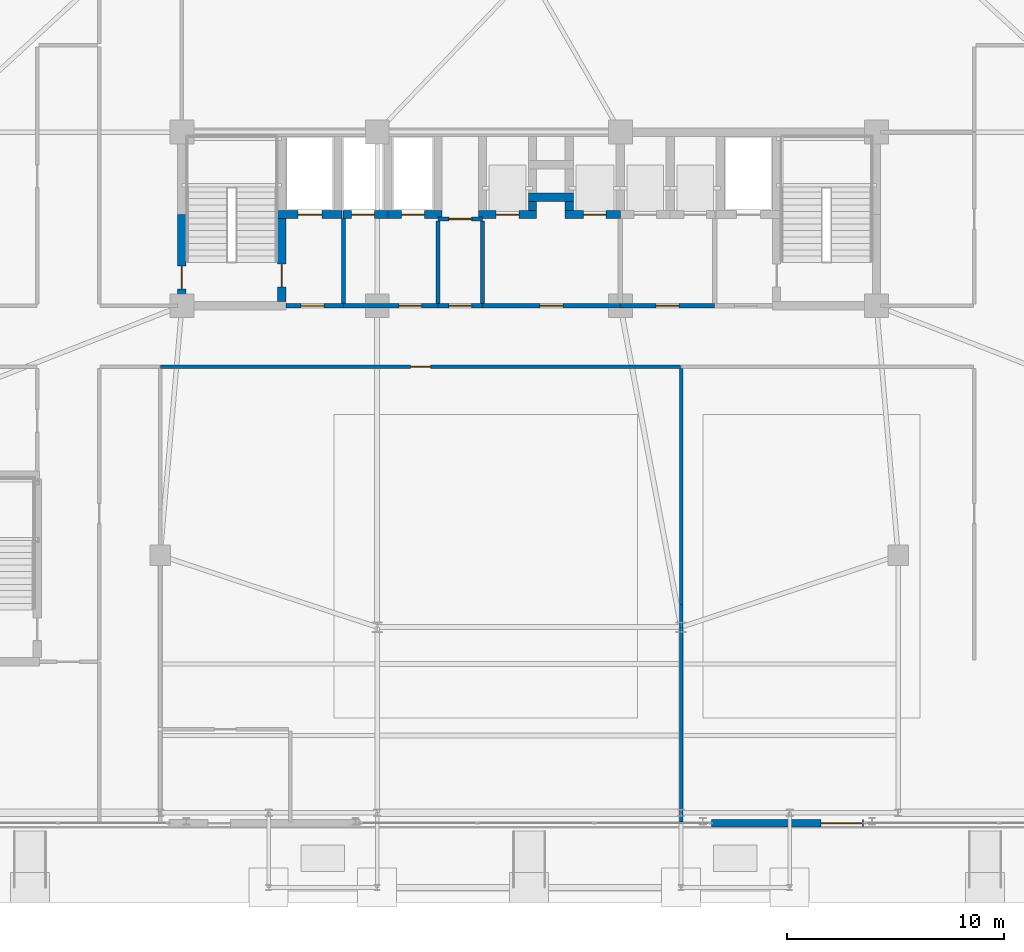
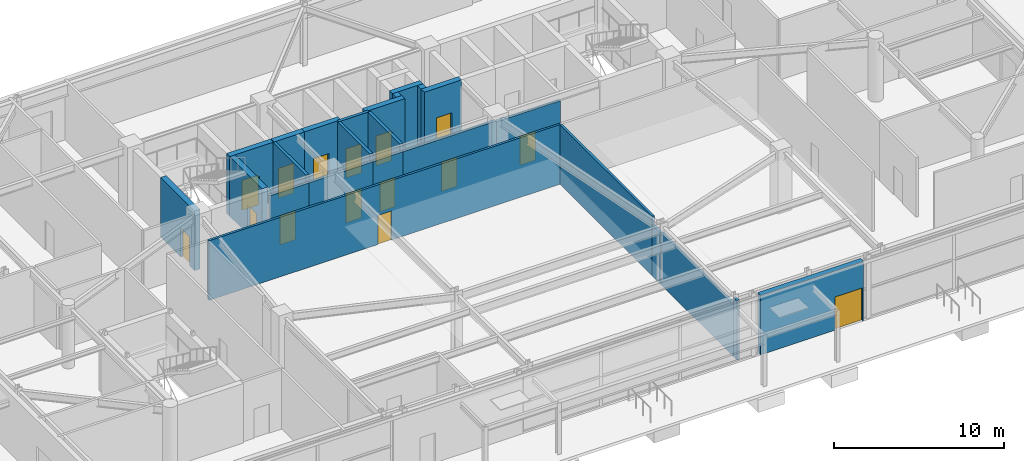
# One storey, part 20 of 29: 25 walls, 15 doors, 15 openings.
"""IFC4 building model written with IfcOpenShell, lengths in metres."""

import ifcopenshell
import ifcopenshell.guid

model = None  # the IFC model being written
_history = None  # IfcOwnerHistory: only IFC2X3 demands one
_inside = {}  # id of a spatial element -> (the spatial element, [elements in it])
_under = {}  # id of a project, library or spatial element -> (it, [spatial elements below it])
_declared = {}  # id of a project -> (the project, [libraries it declares])
_typed = {}  # id of a type object -> (the type object, [elements of that type])
_made_of = {}  # id of a material, layer set ... -> (it, [elements and type objects made of it])


def new_model(schema):
    """Start an empty IFC model of exactly this schema.

    Asked for "IFC4X3", IfcOpenShell would pick the latest addendum, in which some entities
    have other attributes; the version numbers below select the first issue.
    IFC2X3 requires an IfcOwnerHistory on every rooted entity: one is made here for all.
    """
    global model, _history
    if schema == "IFC4X3":
        model = ifcopenshell.file(schema_version=(4, 3, 0, 0))
    else:
        model = ifcopenshell.file(schema=schema)
    _inside.clear()
    _under.clear()
    _declared.clear()
    _typed.clear()
    _made_of.clear()
    _history = None
    if model.schema == "IFC2X3":
        org = make("IfcOrganization", Name="unknown")
        user = make(
            "IfcPersonAndOrganization",
            ThePerson=make("IfcPerson", FamilyName="unknown"),
            TheOrganization=org,
        )
        app = make(
            "IfcApplication",
            ApplicationDeveloper=org,
            Version="unknown",
            ApplicationFullName="unknown",
            ApplicationIdentifier="unknown",
        )
        _history = make(
            "IfcOwnerHistory",
            OwningUser=user,
            OwningApplication=app,
            ChangeAction="ADDED",
            CreationDate=0,
        )
    return model


def make(cls, **values):
    """One entity of the class cls with the attributes given. An attribute that is None is left unset."""
    return model.create_entity(
        cls, **{name: value for name, value in values.items() if value is not None}
    )


def rooted(cls, **values):
    """An entity with a GlobalId (a new one), such as an element, a storey or a relation."""
    return make(cls, GlobalId=ifcopenshell.guid.new(), OwnerHistory=_history, **values)


def si_unit(unit_type, name, prefix=None):
    """IfcSIUnit, for example si_unit("LENGTHUNIT", "METRE", prefix="MILLI")."""
    return make("IfcSIUnit", UnitType=unit_type, Prefix=prefix, Name=name)


def assignment(units):
    """IfcUnitAssignment: the units of a project."""
    return None if units is None else make("IfcUnitAssignment", Units=units)


def point(xyz):
    """IfcCartesianPoint."""
    return None if xyz is None else make("IfcCartesianPoint", Coordinates=xyz)


def direction(xyz):
    """IfcDirection."""
    return None if xyz is None else make("IfcDirection", DirectionRatios=xyz)


def frame(location, z_axis=None, x_axis=None):
    """IfcAxis2Placement3D, a coordinate frame: its origin and axes. An axis left out is left unset."""
    return make(
        "IfcAxis2Placement3D",
        Location=point(location),
        Axis=direction(z_axis),
        RefDirection=direction(x_axis),
    )


def frame_2d(location, x_axis=None):
    """IfcAxis2Placement2D, a coordinate frame in the plane: its origin and x axis."""
    return make(
        "IfcAxis2Placement2D", Location=point(location), RefDirection=direction(x_axis)
    )


def origin():
    """The frame at (0, 0, 0) with its axes left unset."""
    return frame((0.0, 0.0, 0.0))


def place(relative_to, where):
    """IfcLocalPlacement: puts the frame where relative to a parent placement (None: the world)."""
    return make(
        "IfcLocalPlacement", PlacementRelTo=relative_to, RelativePlacement=where
    )


def context(
    kind, dimensions, precision=None, world=None, true_north=None, identifier=None
):
    """IfcGeometricRepresentationContext, for example the 3D "Model" context."""
    return make(
        "IfcGeometricRepresentationContext",
        ContextIdentifier=identifier,
        ContextType=kind,
        CoordinateSpaceDimension=dimensions,
        Precision=precision,
        WorldCoordinateSystem=world,
        TrueNorth=true_north,
    )


def subcontext(parent, identifier, kind, view, scale=None):
    """IfcGeometricRepresentationSubContext, for example "Body" below "Model"."""
    return make(
        "IfcGeometricRepresentationSubContext",
        ContextIdentifier=identifier,
        ContextType=kind,
        ParentContext=parent,
        TargetScale=scale,
        TargetView=view,
    )


def project(units=None, contexts=None):
    """IfcProject with its units and contexts."""
    return rooted(
        "IfcProject",
        Name="project",
        RepresentationContexts=contexts,
        UnitsInContext=assignment(units),
    )


def spatial(cls, under=None, at=None, **own):
    """A site, building, storey or space (cls), placed at a placement, below another one or the project."""
    s = rooted(cls, ObjectPlacement=at, **own)
    if under is not None:
        _under.setdefault(under.id(), (under, []))[1].append(s)
    return s


def profile(cls, at=None, kind="AREA", **sizes):
    """A parametric profile (cls). Its sizes go by their IFC names, for example OverallWidth=200.0."""
    return make(cls, ProfileType=kind, Position=at, **sizes)


def rectangle(**sizes):
    """IfcRectangleProfileDef."""
    return profile("IfcRectangleProfileDef", **sizes)


def extrude(swept, where, along, depth):
    """IfcExtrudedAreaSolid: the profile swept, set in the frame where, extruded along a direction by depth."""
    return make(
        "IfcExtrudedAreaSolid",
        SweptArea=swept,
        Position=where,
        ExtrudedDirection=direction(along),
        Depth=depth,
    )


def shape(context_of_items, identifier, shape_type, items):
    """IfcShapeRepresentation: the items that make up one representation, for example the "Body"."""
    return make(
        "IfcShapeRepresentation",
        ContextOfItems=context_of_items,
        RepresentationIdentifier=identifier,
        RepresentationType=shape_type,
        Items=items,
    )


def source(mapping_origin, context_of_items, identifier, shape_type, items):
    """IfcRepresentationMap: a shape defined once, which mapped items show again and again."""
    return make(
        "IfcRepresentationMap",
        MappingOrigin=mapping_origin,
        MappedRepresentation=shape(context_of_items, identifier, shape_type, items),
    )


def transform(
    local_origin,
    x_axis=None,
    y_axis=None,
    z_axis=None,
    scale=None,
    scale2=None,
    scale3=None,
    uniform=True,
):
    """IfcCartesianTransformationOperator3D, or its non-uniform kind. x_axis, y_axis, z_axis: its Axis1, 2, 3."""
    if uniform:
        return make(
            "IfcCartesianTransformationOperator3D",
            Axis1=direction(x_axis),
            Axis2=direction(y_axis),
            LocalOrigin=point(local_origin),
            Scale=scale,
            Axis3=direction(z_axis),
        )
    return make(
        "IfcCartesianTransformationOperator3DnonUniform",
        Axis1=direction(x_axis),
        Axis2=direction(y_axis),
        LocalOrigin=point(local_origin),
        Scale=scale,
        Axis3=direction(z_axis),
        Scale2=scale2,
        Scale3=scale3,
    )


def mapped(mapping_source, mapping_target):
    """IfcMappedItem: shows the shape of a source again, moved by a transform."""
    return make(
        "IfcMappedItem", MappingSource=mapping_source, MappingTarget=mapping_target
    )


def material(Name=None, Category=None):
    """IfcMaterial."""
    return make("IfcMaterial", Name=Name, Category=Category)


def layer(
    of_material, thickness, ventilated=None, Name=None, Category=None, Priority=None
):
    """IfcMaterialLayer: one layer of a wall or slab, of a material (None: an air gap)."""
    return make(
        "IfcMaterialLayer",
        Material=of_material,
        LayerThickness=thickness,
        IsVentilated=ventilated,
        Name=Name,
        Category=Category,
        Priority=Priority,
    )


def layer_set(layers, Name=None):
    """IfcMaterialLayerSet."""
    return make("IfcMaterialLayerSet", MaterialLayers=layers, LayerSetName=Name)


def made_of(thing, what):
    """Note that an element or type object is made of a material, layer set ...; save() writes the relation."""
    if what is not None:
        _made_of.setdefault(what.id(), (what, []))[1].append(thing)
    return thing


def type_object(cls, material=None, **own):
    """A type object (cls), such as IfcWallType, which elements share."""
    return made_of(rooted(cls, **own), material)


def element(
    cls,
    number,
    at=None,
    inside=None,
    cuts=None,
    type_object=None,
    material=None,
    context=None,
    identifier="Body",
    shape_type=None,
    held_by="IfcProductDefinitionShape",
    body=None,
    shapes=None,
    **own,
):
    """One element of the class cls, such as IfcWall. Its Tag is "e" and its number.

    at: its placement. inside: the storey or other place that contains it. cuts: it is an
    opening in that element (IfcRelVoidsElement). A single representation is given by context,
    identifier, shape_type and body (its items); several are given by shapes. held_by: the class
    of the entity that holds the representations. save() writes the other relations.
    """
    e = rooted(cls, Tag="e%d" % number, ObjectPlacement=at, **own)
    if body is not None:
        shapes = [shape(context, identifier, shape_type, body)]
    if shapes is not None:
        e.Representation = make(held_by, Representations=shapes)
    if inside is not None:
        _inside.setdefault(inside.id(), (inside, []))[1].append(e)
    if cuts is not None:
        rooted(
            "IfcRelVoidsElement", RelatingBuildingElement=cuts, RelatedOpeningElement=e
        )
    if type_object is not None:
        _typed.setdefault(type_object.id(), (type_object, []))[1].append(e)
    return made_of(e, material)


def fill(opening, filler):
    """IfcRelFillsElement: the door or window that sits in an opening."""
    return rooted(
        "IfcRelFillsElement",
        RelatingOpeningElement=opening,
        RelatedBuildingElement=filler,
    )


def aggregate(whole, parts):
    """IfcRelAggregates: a whole, such as a stair, and the parts it consists of."""
    return rooted("IfcRelAggregates", RelatingObject=whole, RelatedObjects=parts)


def save(model, path):
    """Write the relations noted so far, then the file.

    IfcRelAggregates (storeys below a building ...), IfcRelContainedInSpatialStructure (elements
    in a storey), IfcRelDefinesByType, IfcRelAssociatesMaterial and IfcRelDeclares: one each for
    every whole, place, type object, material and project.
    """
    for whole, parts in _under.values():
        aggregate(whole, parts)
    for where, things in _inside.values():
        rooted(
            "IfcRelContainedInSpatialStructure",
            RelatedElements=things,
            RelatingStructure=where,
        )
    for kind, things in _typed.values():
        rooted("IfcRelDefinesByType", RelatedObjects=things, RelatingType=kind)
    for what, things in _made_of.values():
        rooted("IfcRelAssociatesMaterial", RelatedObjects=things, RelatingMaterial=what)
    for by, libraries in _declared.values():
        rooted("IfcRelDeclares", RelatingContext=by, RelatedDefinitions=libraries)
    model.write(path)


model = new_model("IFC4")

# Units and contexts
model_context = context("Model", 3, precision=1e-05, world=origin(), true_north=direction((0.0, 1.0)))
body_context = subcontext(model_context, "Body", "Model", "MODEL_VIEW")
ifc_project = project(units=[si_unit("LENGTHUNIT", "METRE"), si_unit("AREAUNIT", "SQUARE_METRE"), si_unit("VOLUMEUNIT", "CUBIC_METRE"), si_unit("PLANEANGLEUNIT", "RADIAN"), si_unit("MASSUNIT", "GRAM", prefix="KILO")], contexts=[model_context])

# Site, building, storey
site_placement = place(None, origin())
site = spatial("IfcSite", under=ifc_project, at=site_placement, CompositionType="ELEMENT")
building_placement = place(site_placement, origin())
building = spatial("IfcBuilding", under=site, at=building_placement, Name="Taldren Reach Tower", CompositionType="ELEMENT")
storey_placement = place(building_placement, origin())
storey = spatial("IfcBuildingStorey", under=building, at=storey_placement, Name="L00", CompositionType="ELEMENT", Elevation=0.0)

# Wall, opening, door
ifc_material_1 = material(Name="Pale Champagne Anodised Aluminium Cladding", Category="aluminium")
ifc_layer_1 = layer(ifc_material_1, 0.04, Name="Pale Champagne Anodised Aluminium Cladding", Category="aluminium")
ifc_material_2 = material(Name="Mineral Wool Thermal Insulation", Category="insulation")
ifc_layer_2 = layer(ifc_material_2, 0.08, Name="Mineral Wool Thermal Insulation", Category="insulation")
ifc_material_3 = material(Name="Concrete S50 (50 MPa)", Category="concrete")
ifc_layer_3 = layer(ifc_material_3, 0.22, Name="Concrete S50 (50 MPa)", Category="concrete")
ifc_layer_set_1 = layer_set([ifc_layer_1, ifc_layer_2, ifc_layer_3], Name="Pale Champagne Aluminium Cladding and Precast Concrete 50 MPa (S50)")
wall_type_1 = type_object("IfcWallType", Name="EW-POD-340", PredefinedType="SOLIDWALL", material=ifc_layer_set_1)
shared_shape_1 = source(origin(), body_context, "Body", "SweptSolid", [
    extrude(rectangle(XDim=7.0, YDim=0.340087890625, at=frame_2d((3.5, 0.0))), origin(), (0.0, 0.0, 1.0), 4.2900390625),
])
wall_1_placement = place(storey_placement, frame((43.39990234375, 0.169921875, 0.0), z_axis=(0.0, 0.0, 1.0), x_axis=(1.0, 0.0, 0.0)))
wall_1 = element("IfcWall", 1, at=wall_1_placement, inside=storey, type_object=wall_type_1, Name="Podium riverfront wall L00-S3", PredefinedType="SOLIDWALL", context=body_context, shape_type="MappedRepresentation", body=[
    mapped(shared_shape_1, transform((0.0, 0.0, 0.0), scale=1.0)),
])
shared_shape_2 = source(origin(), body_context, "Body", "SweptSolid", [
    extrude(rectangle(XDim=1.89990234375, YDim=2.39990234375, at=frame_2d((0.949951171875, 1.199951171875))), frame((0.0, 0.18017578125, 0.0), z_axis=(0.0, -1.0, 0.0), x_axis=(1.0, 0.0, 0.0)), (0.0, 0.0, 1.0), 0.360107421875),
])
opening_1_placement = place(wall_1_placement, frame((5.050048828125, 0.0, 0.0)))
opening_1 = element("IfcOpeningElement", 2, at=opening_1_placement, cuts=wall_1, Name="Opening ED-190", PredefinedType="OPENING", context=body_context, shape_type="MappedRepresentation", body=[
    mapped(shared_shape_2, transform((0.0, 0.0, 0.0), scale=1.0)),
])
ifc_material_4 = material(Name="Glazed Aluminium Double Exit Door", Category="aluminium")
door_type_1 = type_object("IfcDoorType", Name="ED-EXIT-1900", OperationType="DOUBLE_DOOR_SINGLE_SWING", PredefinedType="DOOR", material=ifc_material_4)
shared_shape_3 = source(origin(), body_context, "Body", "SweptSolid", [
    extrude(rectangle(XDim=1.89990234375, YDim=2.39990234375, at=frame_2d((0.949951171875, 1.199951171875))), frame((0.0, 0.02490234375, 0.0), z_axis=(0.0, -1.0, 0.0), x_axis=(1.0, 0.0, 0.0)), (0.0, 0.0, 1.0), 0.050048828125),
])
door_1_placement = place(opening_1_placement, frame((1.89990234375, 0.0, 0.0), z_axis=(0.0, 0.0, 1.0), x_axis=(-1.0, 0.0, 0.0)))
door_1 = element("IfcDoor", 3, at=door_1_placement, inside=storey, type_object=door_type_1, Name="Ground exit door ED-L00-S3", OperationType="DOUBLE_DOOR_SINGLE_SWING", OverallHeight=2.39990234375, OverallWidth=1.89990234375, PredefinedType="DOOR", context=body_context, shape_type="MappedRepresentation", body=[
    mapped(shared_shape_3, transform((0.0, 0.0, 0.0), scale=1.0)),
])
fill(opening_1, door_1)

ifc_material_5 = material(Name="Concrete S80 (80 MPa)", Category="concrete")
ifc_layer_4 = layer(ifc_material_5, 0.3798828125)
ifc_layer_set_2 = layer_set([ifc_layer_4], Name="Concrete S80 (80 MPa)")
wall_type_2 = type_object("IfcWallType", Name="IW-CORE-380", PredefinedType="SHEAR", material=ifc_layer_set_2)
shared_shape_4 = source(origin(), body_context, "Body", "SweptSolid", [
    extrude(rectangle(XDim=4.010009765625, YDim=0.3798828125, at=frame_2d((2.0048828125, 0.0))), origin(), (0.0, 0.0, 1.0), 4.2900390625),
])
wall_2_placement = place(storey_placement, frame((19.0, 24.18994140625, 0.0), z_axis=(0.0, 0.0, 1.0), x_axis=(0.0, 1.0, 0.0)))
wall_2 = element("IfcWall", 4, at=wall_2_placement, inside=storey, type_object=wall_type_2, Name="Rear Core Shear Wall W-CORE-L00-WEST1", PredefinedType="SHEAR", context=body_context, shape_type="MappedRepresentation", body=[
    mapped(shared_shape_4, transform((0.0, 0.0, 0.0), scale=1.0)),
])
shared_shape_5 = source(origin(), body_context, "Body", "SweptSolid", [
    extrude(rectangle(XDim=1.050048828125, YDim=2.10009765625, at=frame_2d((0.52490234375, 1.050048828125))), frame((0.0, 0.199951171875, 0.0), z_axis=(0.0, -1.0, 0.0), x_axis=(1.0, 0.0, 0.0)), (0.0, 0.0, 1.0), 0.39990234375),
])
opening_2_placement = place(wall_2_placement, frame((0.5849609375, 0.0, 0.0)))
opening_2 = element("IfcOpeningElement", 5, at=opening_2_placement, cuts=wall_2, Name="Opening DF-105", PredefinedType="OPENING", context=body_context, shape_type="MappedRepresentation", body=[
    mapped(shared_shape_5, transform((0.0, 0.0, 0.0), scale=1.0)),
])
ifc_material_6 = material(Name="Fire-Rated Care and Stair Exit Door")
door_type_2 = type_object("IfcDoorType", Name="ID-FIRE-105", OperationType="NOTDEFINED", PredefinedType="DOOR", material=ifc_material_6)
shared_shape_6 = source(origin(), body_context, "Body", "SweptSolid", [
    extrude(rectangle(XDim=1.050048828125, YDim=2.10009765625, at=frame_2d((0.52490234375, 1.050048828125))), frame((0.0, 0.02490234375, 0.0), z_axis=(0.0, -1.0, 0.0), x_axis=(1.0, 0.0, 0.0)), (0.0, 0.0, 1.0), 0.050048828125),
])
door_2_placement = place(opening_2_placement, origin())
door_2 = element("IfcDoor", 6, at=door_2_placement, inside=storey, type_object=door_type_2, Name="Fire Exit Stair Door DR-L00-023", OperationType="SINGLE_SWING_LEFT", OverallHeight=2.10009765625, OverallWidth=1.050048828125, PredefinedType="DOOR", context=body_context, shape_type="MappedRepresentation", body=[
    mapped(shared_shape_6, transform((0.0, 0.0, 0.0), scale=1.0)),
])
fill(opening_2, door_2)

shared_shape_7 = source(origin(), body_context, "Body", "SweptSolid", [
    extrude(rectangle(XDim=3.820068359375, YDim=0.3798828125, at=frame_2d((1.91015625, 0.0))), origin(), (0.0, 0.0, 1.0), 4.2900390625),
])
wall_3_placement = place(storey_placement, frame((23.60009765625, 24.18994140625, 0.0), z_axis=(0.0, 0.0, 1.0), x_axis=(0.0, 1.0, 0.0)))
wall_3 = element("IfcWall", 7, at=wall_3_placement, inside=storey, type_object=wall_type_2, Name="Rear Core Shear Wall W-INT-L00-002", PredefinedType="SHEAR", context=body_context, shape_type="MappedRepresentation", body=[
    mapped(shared_shape_7, transform((0.0, 0.0, 0.0), scale=1.0)),
])
opening_3_placement = place(wall_3_placement, frame((0.68505859375, 0.0, 0.0)))
opening_3 = element("IfcOpeningElement", 8, at=opening_3_placement, cuts=wall_3, Name="Opening DF-105", PredefinedType="OPENING", context=body_context, shape_type="MappedRepresentation", body=[
    mapped(shared_shape_5, transform((0.0, 0.0, 0.0), scale=1.0)),
])
door_3_placement = place(opening_3_placement, frame((1.050048828125, 0.0, 0.0), z_axis=(0.0, 0.0, 1.0), x_axis=(-1.0, 0.0, 0.0)))
door_3 = element("IfcDoor", 9, at=door_3_placement, inside=storey, type_object=door_type_2, Name="Fire Exit Stair Door DR-L00-001", OperationType="SINGLE_SWING_RIGHT", OverallHeight=2.10009765625, OverallWidth=1.050048828125, PredefinedType="DOOR", context=body_context, shape_type="MappedRepresentation", body=[
    mapped(shared_shape_6, transform((0.0, 0.0, 0.0), scale=1.0)),
])
fill(opening_3, door_3)

shared_shape_8 = source(origin(), body_context, "Body", "SweptSolid", [
    extrude(rectangle(XDim=2.97998046875, YDim=0.3798828125, at=frame_2d((1.489990234375, 0.0))), origin(), (0.0, 0.0, 1.0), 4.2900390625),
])
wall_4_placement = place(storey_placement, frame((23.409912109375, 28.199951171875, 0.0), z_axis=(0.0, 0.0, 1.0), x_axis=(1.0, 0.0, 0.0)))
wall_4 = element("IfcWall", 10, at=wall_4_placement, inside=storey, type_object=wall_type_2, Name="Rear Core Shear Wall W-INT-L00-004", PredefinedType="SHEAR", context=body_context, shape_type="MappedRepresentation", body=[
    mapped(shared_shape_8, transform((0.0, 0.0, 0.0), scale=1.0)),
])
shared_shape_9 = source(origin(), body_context, "Body", "SweptSolid", [
    extrude(rectangle(XDim=1.10009765625, YDim=2.14990234375, at=frame_2d((0.550048828125, 1.074951171875))), frame((0.0, 0.199951171875, 0.0), z_axis=(0.0, -1.0, 0.0), x_axis=(1.0, 0.0, 0.0)), (0.0, 0.0, 1.0), 0.39990234375),
])
opening_4_placement = place(wall_4_placement, frame((0.93994140625, 0.0, 0.0)))
opening_4 = element("IfcOpeningElement", 11, at=opening_4_placement, cuts=wall_4, Name="Opening LD-FL1", PredefinedType="OPENING", context=body_context, shape_type="MappedRepresentation", body=[
    mapped(shared_shape_9, transform((0.0, 0.0, 0.0), scale=1.0)),
])
ifc_material_7 = material(Name="Stainless Steel Gr 316 Emergency Lift Landing Door", Category="steel")
door_type_3 = type_object("IfcDoorType", Name="LD-EMG-110", OperationType="SLIDING_TO_LEFT", PredefinedType="DOOR", material=ifc_material_7)
shared_shape_10 = source(origin(), body_context, "Body", "SweptSolid", [
    extrude(rectangle(XDim=1.10009765625, YDim=2.14990234375, at=frame_2d((0.550048828125, 1.074951171875))), frame((0.0, 0.02490234375, 0.0), z_axis=(0.0, -1.0, 0.0), x_axis=(1.0, 0.0, 0.0)), (0.0, 0.0, 1.0), 0.050048828125),
])
door_4_placement = place(opening_4_placement, origin())
door_4 = element("IfcDoor", 12, at=door_4_placement, inside=storey, type_object=door_type_3, Name="Lift Landing Door LD-FL1-L00", OperationType="SLIDING_TO_LEFT", OverallHeight=2.14990234375, OverallWidth=1.10009765625, PredefinedType="DOOR", context=body_context, shape_type="MappedRepresentation", body=[
    mapped(shared_shape_10, transform((0.0, 0.0, 0.0), scale=1.0)),
])
fill(opening_4, door_4)

# Wall
ifc_layer_5 = layer(ifc_material_3, 0.199951171875)
ifc_layer_set_3 = layer_set([ifc_layer_5], Name="Concrete S50 (50 MPa)")
wall_type_3 = type_object("IfcWallType", Name="IW-CORE-200", PredefinedType="SOLIDWALL", material=ifc_layer_set_3)
shared_shape_11 = source(origin(), body_context, "Body", "SweptSolid", [
    extrude(rectangle(XDim=3.909912109375, YDim=0.199951171875, at=frame_2d((1.955078125, 0.0))), origin(), (0.0, 0.0, 1.0), 4.2900390625),
])
wall_5_placement = place(storey_placement, frame((26.449951171875, 24.10009765625, 0.0), z_axis=(0.0, 0.0, 1.0), x_axis=(0.0, 1.0, 0.0)))
element("IfcWall", 13, at=wall_5_placement, inside=storey, type_object=wall_type_3, Name="Rear Core Shear Wall W-INT-L00-006", PredefinedType="SOLIDWALL", context=body_context, shape_type="MappedRepresentation", body=[
    mapped(shared_shape_11, transform((0.0, 0.0, 0.0), scale=1.0)),
])

# Wall, opening, door
shared_shape_12 = source(origin(), body_context, "Body", "SweptSolid", [
    extrude(rectangle(XDim=2.659912109375, YDim=0.199951171875, at=frame_2d((1.330078125, 0.0))), origin(), (0.0, 0.0, 1.0), 3.830078125),
])
wall_6_placement = place(storey_placement, frame((23.7900390625, 24.0, 0.0), z_axis=(0.0, 0.0, 1.0), x_axis=(1.0, 0.0, 0.0)))
wall_6 = element("IfcWall", 14, at=wall_6_placement, inside=storey, type_object=wall_type_3, Name="Rear Core Shear Wall W-INT-L00-007", PredefinedType="SOLIDWALL", context=body_context, shape_type="MappedRepresentation", body=[
    mapped(shared_shape_12, transform((0.0, 0.0, 0.0), scale=1.0)),
])
shared_shape_13 = source(origin(), body_context, "Body", "SweptSolid", [
    extrude(rectangle(XDim=1.050048828125, YDim=2.10009765625, at=frame_2d((0.52490234375, 1.050048828125))), frame((0.0, 0.10986328125, 0.0), z_axis=(0.0, -1.0, 0.0), x_axis=(1.0, 0.0, 0.0)), (0.0, 0.0, 1.0), 0.219970703125),
])
opening_5_placement = place(wall_6_placement, frame((0.7099609375, 0.0, 0.0)))
opening_5 = element("IfcOpeningElement", 15, at=opening_5_placement, cuts=wall_6, Name="Opening DF-105", PredefinedType="OPENING", context=body_context, shape_type="MappedRepresentation", body=[
    mapped(shared_shape_13, transform((0.0, 0.0, 0.0), scale=1.0)),
])
door_5_placement = place(opening_5_placement, frame((1.050048828125, 0.0, 0.0), z_axis=(0.0, 0.0, 1.0), x_axis=(-1.0, 0.0, 0.0)))
door_5 = element("IfcDoor", 16, at=door_5_placement, inside=storey, type_object=door_type_2, Name="Interior Door DR-L00-002", OperationType="SINGLE_SWING_RIGHT", OverallHeight=2.10009765625, OverallWidth=1.050048828125, PredefinedType="DOOR", context=body_context, shape_type="MappedRepresentation", body=[
    mapped(shared_shape_6, transform((0.0, 0.0, 0.0), scale=1.0)),
])
fill(opening_5, door_5)

# Wall
shared_shape_14 = source(origin(), body_context, "Body", "SweptSolid", [
    extrude(rectangle(XDim=2.080078125, YDim=0.3798828125, at=frame_2d((1.0400390625, 0.0))), origin(), (0.0, 0.0, 1.0), 4.2900390625),
])
wall_7_placement = place(storey_placement, frame((34.9599609375, 29.0, 0.0), z_axis=(0.0, 0.0, 1.0), x_axis=(1.0, 0.0, 0.0)))
element("IfcWall", 17, at=wall_7_placement, inside=storey, type_object=wall_type_2, Name="Rear Core Shear Wall W-INT-L00-020", PredefinedType="SHEAR", context=body_context, shape_type="MappedRepresentation", body=[
    mapped(shared_shape_14, transform((0.0, 0.0, 0.0), scale=1.0)),
])

# Wall, opening, door
shared_shape_15 = source(origin(), body_context, "Body", "SweptSolid", [
    extrude(rectangle(XDim=2.070068359375, YDim=0.3798828125, at=frame_2d((1.03515625, 0.0))), origin(), (0.0, 0.0, 1.0), 4.2900390625),
])
wall_8_placement = place(storey_placement, frame((26.429931640625, 28.199951171875, 0.0), z_axis=(0.0, 0.0, 1.0), x_axis=(1.0, 0.0, 0.0)))
wall_8 = element("IfcWall", 18, at=wall_8_placement, inside=storey, type_object=wall_type_2, Name="Rear Core Shear Wall W-INT-L00-022", PredefinedType="SHEAR", context=body_context, shape_type="MappedRepresentation", body=[
    mapped(shared_shape_15, transform((0.0, 0.0, 0.0), scale=1.0)),
])
shared_shape_16 = source(origin(), body_context, "Body", "SweptSolid", [
    extrude(rectangle(XDim=1.050048828125, YDim=2.14990234375, at=frame_2d((0.52490234375, 1.074951171875))), frame((0.0, 0.199951171875, 0.0), z_axis=(0.0, -1.0, 0.0), x_axis=(1.0, 0.0, 0.0)), (0.0, 0.0, 1.0), 0.39990234375),
])
opening_6_placement = place(wall_8_placement, frame((0.39501953125, 0.0, 0.0)))
opening_6 = element("IfcOpeningElement", 19, at=opening_6_placement, cuts=wall_8, Name="Opening LD-PL1", PredefinedType="OPENING", context=body_context, shape_type="MappedRepresentation", body=[
    mapped(shared_shape_16, transform((0.0, 0.0, 0.0), scale=1.0)),
])
ifc_material_8 = material(Name="Stainless Steel Gr 316 Passenger Lift Landing Door", Category="steel")
door_type_4 = type_object("IfcDoorType", Name="LD-PAS-105", OperationType="SLIDING_TO_LEFT", PredefinedType="DOOR", material=ifc_material_8)
shared_shape_17 = source(origin(), body_context, "Body", "SweptSolid", [
    extrude(rectangle(XDim=1.050048828125, YDim=2.14990234375, at=frame_2d((0.52490234375, 1.074951171875))), frame((0.0, 0.02490234375, 0.0), z_axis=(0.0, -1.0, 0.0), x_axis=(1.0, 0.0, 0.0)), (0.0, 0.0, 1.0), 0.050048828125),
])
door_6_placement = place(opening_6_placement, origin())
door_6 = element("IfcDoor", 20, at=door_6_placement, inside=storey, type_object=door_type_4, Name="Lift Landing Door LD-PL1-L00", OperationType="SLIDING_TO_LEFT", OverallHeight=2.14990234375, OverallWidth=1.050048828125, PredefinedType="DOOR", context=body_context, shape_type="MappedRepresentation", body=[
    mapped(shared_shape_17, transform((0.0, 0.0, 0.0), scale=1.0)),
])
fill(opening_6, door_6)

shared_shape_18 = source(origin(), body_context, "Body", "SweptSolid", [
    extrude(rectangle(XDim=2.489990234375, YDim=0.3798828125, at=frame_2d((1.2451171875, 0.0))), origin(), (0.0, 0.0, 1.0), 4.2900390625),
])
wall_9_placement = place(storey_placement, frame((28.5, 28.199951171875, 0.0), z_axis=(0.0, 0.0, 1.0), x_axis=(1.0, 0.0, 0.0)))
wall_9 = element("IfcWall", 21, at=wall_9_placement, inside=storey, type_object=wall_type_2, Name="Rear Core Shear Wall W-INT-L00-023", PredefinedType="SHEAR", context=body_context, shape_type="MappedRepresentation", body=[
    mapped(shared_shape_18, transform((0.0, 0.0, 0.0), scale=1.0)),
])
opening_7_placement = place(wall_9_placement, frame((0.625, 0.0, 0.0)))
opening_7 = element("IfcOpeningElement", 22, at=opening_7_placement, cuts=wall_9, Name="Opening LD-PL2", PredefinedType="OPENING", context=body_context, shape_type="MappedRepresentation", body=[
    mapped(shared_shape_16, transform((0.0, 0.0, 0.0), scale=1.0)),
])
door_7_placement = place(opening_7_placement, origin())
door_7 = element("IfcDoor", 23, at=door_7_placement, inside=storey, type_object=door_type_4, Name="Lift Landing Door LD-PL2-L00", OperationType="SLIDING_TO_LEFT", OverallHeight=2.14990234375, OverallWidth=1.050048828125, PredefinedType="DOOR", context=body_context, shape_type="MappedRepresentation", body=[
    mapped(shared_shape_17, transform((0.0, 0.0, 0.0), scale=1.0)),
])
fill(opening_7, door_7)

# Walls
shared_shape_19 = source(origin(), body_context, "Body", "SweptSolid", [
    extrude(rectangle(XDim=3.7998046875, YDim=0.199951171875, at=frame_2d((1.89990234375, 0.0))), origin(), (0.0, 0.0, 1.0), 4.2900390625),
])
for number, where, z_axis, x_axis, name in (
    (24, (30.800048828125, 27.89990234375, 0.0), (0.0, 0.0, 1.0), (0.0, -1.0, 0.0), "Rear Core Shear Wall W-INT-L00-025"),
    (25, (32.85009765625, 27.89990234375, 0.0), (0.0, 0.0, 1.0), (0.0, -1.0, 0.0), "Rear Core Shear Wall W-INT-L00-028"),
):
    element("IfcWall", number, at=place(storey_placement, frame(where, z_axis=z_axis, x_axis=x_axis)), inside=storey, type_object=wall_type_3, Name=name, PredefinedType="SOLIDWALL", context=body_context, shape_type="MappedRepresentation", body=[
        mapped(shared_shape_19, transform((0.0, 0.0, 0.0), scale=1.0)),
    ])

# Wall, opening, door
shared_shape_20 = source(origin(), body_context, "Body", "SweptSolid", [
    extrude(rectangle(XDim=4.35009765625, YDim=0.199951171875, at=frame_2d((2.175048828125, 0.0))), origin(), (0.0, 0.0, 1.0), 3.830078125),
])
wall_10_placement = place(storey_placement, frame((30.800048828125, 24.0, 0.0), z_axis=(0.0, 0.0, 1.0), x_axis=(-1.0, 0.0, 0.0)))
wall_10 = element("IfcWall", 26, at=wall_10_placement, inside=storey, type_object=wall_type_3, Name="Rear Core Shear Wall W-INT-L00-026", PredefinedType="SOLIDWALL", context=body_context, shape_type="MappedRepresentation", body=[
    mapped(shared_shape_20, transform((0.0, 0.0, 0.0), scale=1.0)),
])
opening_8_placement = place(wall_10_placement, frame((0.75, 0.0, 0.0)))
opening_8 = element("IfcOpeningElement", 27, at=opening_8_placement, cuts=wall_10, Name="Opening DF-105", PredefinedType="OPENING", context=body_context, shape_type="MappedRepresentation", body=[
    mapped(shared_shape_13, transform((0.0, 0.0, 0.0), scale=1.0)),
])
door_8_placement = place(opening_8_placement, frame((1.050048828125, 0.0, 0.0), z_axis=(0.0, 0.0, 1.0), x_axis=(-1.0, 0.0, 0.0)))
door_8 = element("IfcDoor", 28, at=door_8_placement, inside=storey, type_object=door_type_2, Name="Interior Door DR-L00-005", OperationType="SINGLE_SWING_RIGHT", OverallHeight=2.10009765625, OverallWidth=1.050048828125, PredefinedType="DOOR", context=body_context, shape_type="MappedRepresentation", body=[
    mapped(shared_shape_6, transform((0.0, 0.0, 0.0), scale=1.0)),
])
fill(opening_8, door_8)

shared_shape_21 = source(origin(), body_context, "Body", "SweptSolid", [
    extrude(rectangle(XDim=2.050048828125, YDim=0.199951171875, at=frame_2d((1.02490234375, 0.0))), origin(), (0.0, 0.0, 1.0), 4.2900390625),
])
wall_11_placement = place(storey_placement, frame((30.800048828125, 28.0, 0.0), z_axis=(0.0, 0.0, 1.0), x_axis=(1.0, 0.0, 0.0)))
wall_11 = element("IfcWall", 29, at=wall_11_placement, inside=storey, type_object=wall_type_3, Name="Rear Core Shear Wall W-INT-L00-027", PredefinedType="SOLIDWALL", context=body_context, shape_type="MappedRepresentation", body=[
    mapped(shared_shape_21, transform((0.0, 0.0, 0.0), scale=1.0)),
])
opening_9_placement = place(wall_11_placement, frame((0.5, 0.0, 0.0)))
opening_9 = element("IfcOpeningElement", 30, at=opening_9_placement, cuts=wall_11, Name="Opening DF-105", PredefinedType="OPENING", context=body_context, shape_type="MappedRepresentation", body=[
    mapped(shared_shape_13, transform((0.0, 0.0, 0.0), scale=1.0)),
])
door_9_placement = place(opening_9_placement, origin())
door_9 = element("IfcDoor", 31, at=door_9_placement, inside=storey, type_object=door_type_2, Name="Interior Door DR-L00-006", OperationType="SINGLE_SWING_LEFT", OverallHeight=2.10009765625, OverallWidth=1.050048828125, PredefinedType="DOOR", context=body_context, shape_type="MappedRepresentation", body=[
    mapped(shared_shape_6, transform((0.0, 0.0, 0.0), scale=1.0)),
])
fill(opening_9, door_9)

shared_shape_22 = source(origin(), body_context, "Body", "SweptSolid", [
    extrude(rectangle(XDim=2.050048828125, YDim=0.199951171875, at=frame_2d((1.02490234375, 0.0))), origin(), (0.0, 0.0, 1.0), 3.830078125),
])
wall_12_placement = place(storey_placement, frame((32.85009765625, 24.0, 0.0), z_axis=(0.0, 0.0, 1.0), x_axis=(-1.0, 0.0, 0.0)))
wall_12 = element("IfcWall", 32, at=wall_12_placement, inside=storey, type_object=wall_type_3, Name="Rear Core Shear Wall W-INT-L00-029", PredefinedType="SOLIDWALL", context=body_context, shape_type="MappedRepresentation", body=[
    mapped(shared_shape_22, transform((0.0, 0.0, 0.0), scale=1.0)),
])
opening_10_placement = place(wall_12_placement, frame((0.5, 0.0, 0.0)))
opening_10 = element("IfcOpeningElement", 33, at=opening_10_placement, cuts=wall_12, Name="Opening DF-105", PredefinedType="OPENING", context=body_context, shape_type="MappedRepresentation", body=[
    mapped(shared_shape_13, transform((0.0, 0.0, 0.0), scale=1.0)),
])
door_10_placement = place(opening_10_placement, frame((1.050048828125, 0.0, 0.0), z_axis=(0.0, 0.0, 1.0), x_axis=(-1.0, 0.0, 0.0)))
door_10 = element("IfcDoor", 34, at=door_10_placement, inside=storey, type_object=door_type_2, Name="Interior Door DR-L00-007", OperationType="SINGLE_SWING_LEFT", OverallHeight=2.10009765625, OverallWidth=1.050048828125, PredefinedType="DOOR", context=body_context, shape_type="MappedRepresentation", body=[
    mapped(shared_shape_6, transform((0.0, 0.0, 0.0), scale=1.0)),
])
fill(opening_10, door_10)

shared_shape_23 = source(origin(), body_context, "Body", "SweptSolid", [
    extrude(rectangle(XDim=2.68017578125, YDim=0.3798828125, at=frame_2d((1.340087890625, 0.0))), origin(), (0.0, 0.0, 1.0), 4.2900390625),
])
wall_13_placement = place(storey_placement, frame((32.659912109375, 28.199951171875, 0.0), z_axis=(0.0, 0.0, 1.0), x_axis=(1.0, 0.0, 0.0)))
wall_13 = element("IfcWall", 35, at=wall_13_placement, inside=storey, type_object=wall_type_2, Name="Rear Core Shear Wall W-INT-L00-031", PredefinedType="SHEAR", context=body_context, shape_type="MappedRepresentation", body=[
    mapped(shared_shape_23, transform((0.0, 0.0, 0.0), scale=1.0)),
])
opening_11_placement = place(wall_13_placement, frame((0.81494140625, 0.0, 0.0)))
opening_11 = element("IfcOpeningElement", 36, at=opening_11_placement, cuts=wall_13, Name="Opening LD-PM1", PredefinedType="OPENING", context=body_context, shape_type="MappedRepresentation", body=[
    mapped(shared_shape_16, transform((0.0, 0.0, 0.0), scale=1.0)),
])
door_11_placement = place(opening_11_placement, origin())
door_11 = element("IfcDoor", 37, at=door_11_placement, inside=storey, type_object=door_type_4, Name="Lift Landing Door LD-PM1-L00", OperationType="SLIDING_TO_LEFT", OverallHeight=2.14990234375, OverallWidth=1.050048828125, PredefinedType="DOOR", context=body_context, shape_type="MappedRepresentation", body=[
    mapped(shared_shape_17, transform((0.0, 0.0, 0.0), scale=1.0)),
])
fill(opening_11, door_11)

# Walls
shared_shape_24 = source(origin(), body_context, "Body", "SweptSolid", [
    extrude(rectangle(XDim=0.420166015625, YDim=0.3798828125, at=frame_2d((0.2099609375, 0.0))), origin(), (0.0, 0.0, 1.0), 4.2900390625),
])
for number, where, z_axis, x_axis, name in (
    (38, (35.14990234375, 28.389892578125, 0.0), (0.0, 0.0, 1.0), (0.0, 1.0, 0.0), "Rear Core Shear Wall W-INT-L00-032"),
    (39, (36.85009765625, 28.81005859375, 0.0), (0.0, 0.0, 1.0), (0.0, -1.0, 0.0), "Rear Core Shear Wall W-INT-L00-034"),
):
    element("IfcWall", number, at=place(storey_placement, frame(where, z_axis=z_axis, x_axis=x_axis)), inside=storey, type_object=wall_type_2, Name=name, PredefinedType="SHEAR", context=body_context, shape_type="MappedRepresentation", body=[
        mapped(shared_shape_24, transform((0.0, 0.0, 0.0), scale=1.0)),
    ])

# Wall, opening, door
shared_shape_25 = source(origin(), body_context, "Body", "SweptSolid", [
    extrude(rectangle(XDim=2.5400390625, YDim=0.3798828125, at=frame_2d((1.27001953125, 0.0))), origin(), (0.0, 0.0, 1.0), 4.2900390625),
])
wall_14_placement = place(storey_placement, frame((36.659912109375, 28.199951171875, 0.0), z_axis=(0.0, 0.0, 1.0), x_axis=(1.0, 0.0, 0.0)))
wall_14 = element("IfcWall", 40, at=wall_14_placement, inside=storey, type_object=wall_type_2, Name="Rear Core Shear Wall W-INT-L00-033", PredefinedType="SHEAR", context=body_context, shape_type="MappedRepresentation", body=[
    mapped(shared_shape_25, transform((0.0, 0.0, 0.0), scale=1.0)),
])
opening_12_placement = place(wall_14_placement, frame((0.8349609375, 0.0, 0.0)))
opening_12 = element("IfcOpeningElement", 41, at=opening_12_placement, cuts=wall_14, Name="Opening LD-PM2", PredefinedType="OPENING", context=body_context, shape_type="MappedRepresentation", body=[
    mapped(shared_shape_16, transform((0.0, 0.0, 0.0), scale=1.0)),
])
door_12_placement = place(opening_12_placement, origin())
door_12 = element("IfcDoor", 42, at=door_12_placement, inside=storey, type_object=door_type_4, Name="Lift Landing Door LD-PM2-L00", OperationType="SLIDING_TO_LEFT", OverallHeight=2.14990234375, OverallWidth=1.050048828125, PredefinedType="DOOR", context=body_context, shape_type="MappedRepresentation", body=[
    mapped(shared_shape_17, transform((0.0, 0.0, 0.0), scale=1.0)),
])
fill(opening_12, door_12)

shared_shape_26 = source(origin(), body_context, "Body", "SweptSolid", [
    extrude(rectangle(XDim=6.349853515625, YDim=0.199951171875, at=frame_2d((3.1748046875, 0.0))), origin(), (0.0, 0.0, 1.0), 3.830078125),
])
wall_15_placement = place(storey_placement, frame((39.199951171875, 24.0, 0.0), z_axis=(0.0, 0.0, 1.0), x_axis=(-1.0, 0.0, 0.0)))
wall_15 = element("IfcWall", 43, at=wall_15_placement, inside=storey, type_object=wall_type_3, Name="Rear Core Shear Wall W-INT-L00-037", PredefinedType="SOLIDWALL", context=body_context, shape_type="MappedRepresentation", body=[
    mapped(shared_shape_26, transform((0.0, 0.0, 0.0), scale=1.0)),
])
opening_13_placement = place(wall_15_placement, frame((2.64990234375, 0.0, 0.0)))
opening_13 = element("IfcOpeningElement", 44, at=opening_13_placement, cuts=wall_15, Name="Opening DF-105", PredefinedType="OPENING", context=body_context, shape_type="MappedRepresentation", body=[
    mapped(shared_shape_13, transform((0.0, 0.0, 0.0), scale=1.0)),
])
door_13_placement = place(opening_13_placement, frame((1.050048828125, 0.0, 0.0), z_axis=(0.0, 0.0, 1.0), x_axis=(-1.0, 0.0, 0.0)))
door_13 = element("IfcDoor", 45, at=door_13_placement, inside=storey, type_object=door_type_2, Name="Interior Door DR-L00-008", OperationType="SINGLE_SWING_RIGHT", OverallHeight=2.10009765625, OverallWidth=1.050048828125, PredefinedType="DOOR", context=body_context, shape_type="MappedRepresentation", body=[
    mapped(shared_shape_6, transform((0.0, 0.0, 0.0), scale=1.0)),
])
fill(opening_13, door_13)

shared_shape_27 = source(origin(), body_context, "Body", "SweptSolid", [
    extrude(rectangle(XDim=4.35009765625, YDim=0.199951171875, at=frame_2d((2.175048828125, 0.0))), origin(), (0.0, 0.0, 1.0), 3.757080078125),
])
wall_16_placement = place(storey_placement, frame((43.550048828125, 24.0, 0.0), z_axis=(0.0, 0.0, 1.0), x_axis=(-1.0, 0.0, 0.0)))
wall_16 = element("IfcWall", 46, at=wall_16_placement, inside=storey, type_object=wall_type_3, Name="Rear Core Shear Wall W-INT-L00-041", PredefinedType="SOLIDWALL", context=body_context, shape_type="MappedRepresentation", body=[
    mapped(shared_shape_27, transform((0.0, 0.0, 0.0), scale=1.0)),
])
opening_14_placement = place(wall_16_placement, frame((1.64990234375, 0.0, 0.0)))
opening_14 = element("IfcOpeningElement", 47, at=opening_14_placement, cuts=wall_16, Name="Opening DF-105", PredefinedType="OPENING", context=body_context, shape_type="MappedRepresentation", body=[
    mapped(shared_shape_13, transform((0.0, 0.0, 0.0), scale=1.0)),
])
door_14_placement = place(opening_14_placement, frame((1.050048828125, 0.0, 0.0), z_axis=(0.0, 0.0, 1.0), x_axis=(-1.0, 0.0, 0.0)))
door_14 = element("IfcDoor", 48, at=door_14_placement, inside=storey, type_object=door_type_2, Name="Interior Door DR-L00-009", OperationType="SINGLE_SWING_LEFT", OverallHeight=2.10009765625, OverallWidth=1.050048828125, PredefinedType="DOOR", context=body_context, shape_type="MappedRepresentation", body=[
    mapped(shared_shape_6, transform((0.0, 0.0, 0.0), scale=1.0)),
])
fill(opening_14, door_14)

ifc_material_9 = material(Name="Fire-Rated Acoustic Plasterboard Stud Wall", Category="gypsum")
ifc_layer_6 = layer(ifc_material_9, 0.159912109375)
ifc_layer_set_4 = layer_set([ifc_layer_6], Name="Fire-Rated Acoustic Plasterboard Stud Wall")
wall_type_4 = type_object("IfcWallType", Name="IW-FIRE-160", PredefinedType="PARTITIONING", material=ifc_layer_set_4)
shared_shape_28 = source(origin(), body_context, "Body", "SweptSolid", [
    extrude(rectangle(XDim=23.95947265625, YDim=0.159912109375, at=frame_2d((11.979736328125, 0.0))), origin(), (0.0, 0.0, 1.0), 4.2900390625),
])
wall_17_placement = place(storey_placement, frame((41.979736328125, 21.199951171875, 0.0), z_axis=(0.0, 0.0, 1.0), x_axis=(-1.0, 0.0, 0.0)))
wall_17 = element("IfcWall", 49, at=wall_17_placement, inside=storey, type_object=wall_type_4, Name="Interior Partition Wall W-INT-L00-048", PredefinedType="PARTITIONING", context=body_context, shape_type="MappedRepresentation", body=[
    mapped(shared_shape_28, transform((0.0, 0.0, 0.0), scale=1.0)),
])
shared_shape_29 = source(origin(), body_context, "Body", "SweptSolid", [
    extrude(rectangle(XDim=0.919921875, YDim=2.10009765625, at=frame_2d((0.4599609375, 1.050048828125))), frame((0.0, 0.08984375, 0.0), z_axis=(0.0, -1.0, 0.0), x_axis=(1.0, 0.0, 0.0)), (0.0, 0.0, 1.0), 0.179931640625),
])
opening_15_placement = place(wall_17_placement, frame((11.519775390625, 0.0, 0.0)))
opening_15 = element("IfcOpeningElement", 50, at=opening_15_placement, cuts=wall_17, Name="Opening DI-092", PredefinedType="OPENING", context=body_context, shape_type="MappedRepresentation", body=[
    mapped(shared_shape_29, transform((0.0, 0.0, 0.0), scale=1.0)),
])
ifc_material_10 = material(Name="Solid-Core Timber Suite Door", Category="wood")
door_type_5 = type_object("IfcDoorType", Name="ID-INT-092", OperationType="NOTDEFINED", PredefinedType="DOOR", material=ifc_material_10)
shared_shape_30 = source(origin(), body_context, "Body", "SweptSolid", [
    extrude(rectangle(XDim=0.919921875, YDim=2.10009765625, at=frame_2d((0.4599609375, 1.050048828125))), frame((0.0, 0.02490234375, 0.0), z_axis=(0.0, -1.0, 0.0), x_axis=(1.0, 0.0, 0.0)), (0.0, 0.0, 1.0), 0.050048828125),
])
door_15_placement = place(opening_15_placement, origin())
door_15 = element("IfcDoor", 51, at=door_15_placement, inside=storey, type_object=door_type_5, Name="Interior Door DR-L00-011", OperationType="SINGLE_SWING_RIGHT", OverallHeight=2.10009765625, OverallWidth=0.919921875, PredefinedType="DOOR", context=body_context, shape_type="MappedRepresentation", body=[
    mapped(shared_shape_30, transform((0.0, 0.0, 0.0), scale=1.0)),
])
fill(opening_15, door_15)

# Walls
shared_shape_31 = source(origin(), body_context, "Body", "SweptSolid", [
    extrude(rectangle(XDim=0.419921875, YDim=0.159912109375, at=frame_2d((0.2099609375, 0.0))), origin(), (0.0, 0.0, 1.0), 4.2900390625),
])
wall_18_placement = place(storey_placement, frame((42.0, 0.64990234375, 0.0), z_axis=(0.0, 0.0, 1.0), x_axis=(0.0, -1.0, 0.0)))
element("IfcWall", 52, at=wall_18_placement, inside=storey, type_object=wall_type_4, Name="Interior Partition Wall W-INT-L00-074 part 4", PredefinedType="PARTITIONING", context=body_context, shape_type="MappedRepresentation", body=[
    mapped(shared_shape_31, transform((0.0, 0.0, 0.0), scale=1.0)),
])
shared_shape_32 = source(origin(), body_context, "Body", "SweptSolid", [
    extrude(rectangle(XDim=10.884033203125, YDim=0.159912109375, at=frame_2d((5.44189453125, 0.0))), origin(), (0.0, 0.0, 1.0), 4.2900390625),
])
wall_19_placement = place(storey_placement, frame((42.0, 21.1201171875, 0.0), z_axis=(0.0, 0.0, 1.0), x_axis=(0.0, -1.0, 0.0)))
element("IfcWall", 53, at=wall_19_placement, inside=storey, type_object=wall_type_4, Name="Interior Partition Wall W-INT-L00-074", PredefinedType="PARTITIONING", context=body_context, shape_type="MappedRepresentation", body=[
    mapped(shared_shape_32, transform((0.0, 0.0, 0.0), scale=1.0)),
])
shared_shape_33 = source(origin(), body_context, "Body", "SweptSolid", [
    extrude(rectangle(XDim=1.05126953125, YDim=0.159912109375, at=frame_2d((0.525634765625, 0.0))), origin(), (0.0, 0.0, 1.0), 3.68798828125),
])
wall_20_placement = place(storey_placement, frame((42.0, 10.236083984375, 0.0), z_axis=(0.0, 0.0, 1.0), x_axis=(0.0, -1.0, 0.0)))
element("IfcWall", 54, at=wall_20_placement, inside=storey, type_object=wall_type_4, Name="Interior Partition Wall W-INT-L00-074 part 2", PredefinedType="PARTITIONING", context=body_context, shape_type="MappedRepresentation", body=[
    mapped(shared_shape_33, transform((0.0, 0.0, 0.0), scale=1.0)),
])
shared_shape_34 = source(origin(), body_context, "Body", "SweptSolid", [
    extrude(rectangle(XDim=8.534912109375, YDim=0.159912109375, at=frame_2d((4.267578125, 0.0))), origin(), (0.0, 0.0, 1.0), 3.757080078125),
])
wall_21_placement = place(storey_placement, frame((42.0, 9.184814453125, 0.0), z_axis=(0.0, 0.0, 1.0), x_axis=(0.0, -1.0, 0.0)))
element("IfcWall", 55, at=wall_21_placement, inside=storey, type_object=wall_type_4, Name="Interior Partition Wall W-INT-L00-074 part 3", PredefinedType="PARTITIONING", context=body_context, shape_type="MappedRepresentation", body=[
    mapped(shared_shape_34, transform((0.0, 0.0, 0.0), scale=1.0)),
])

save(model, "model.ifc")
